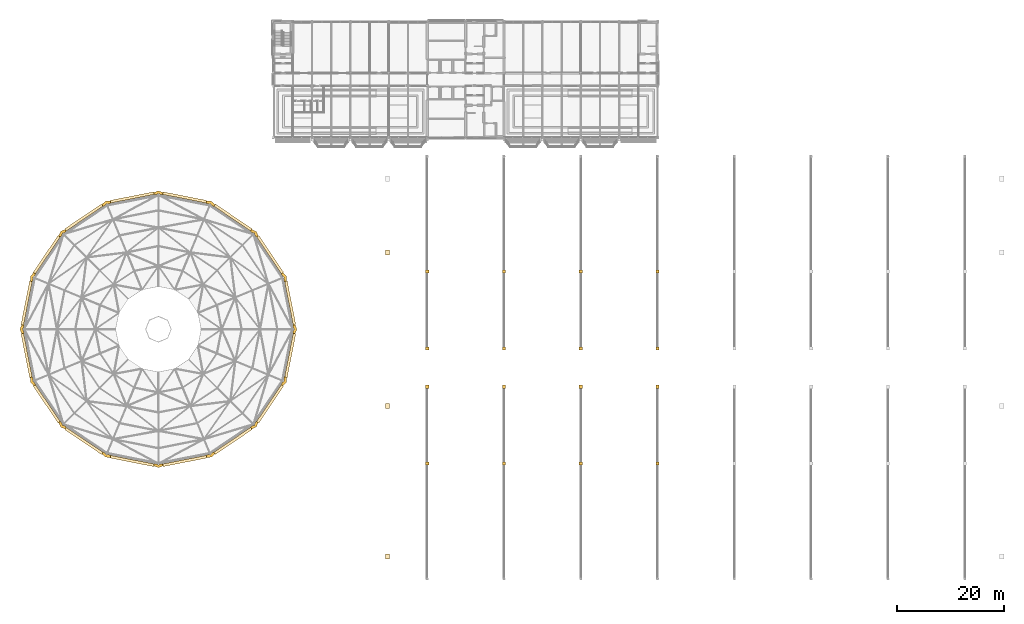
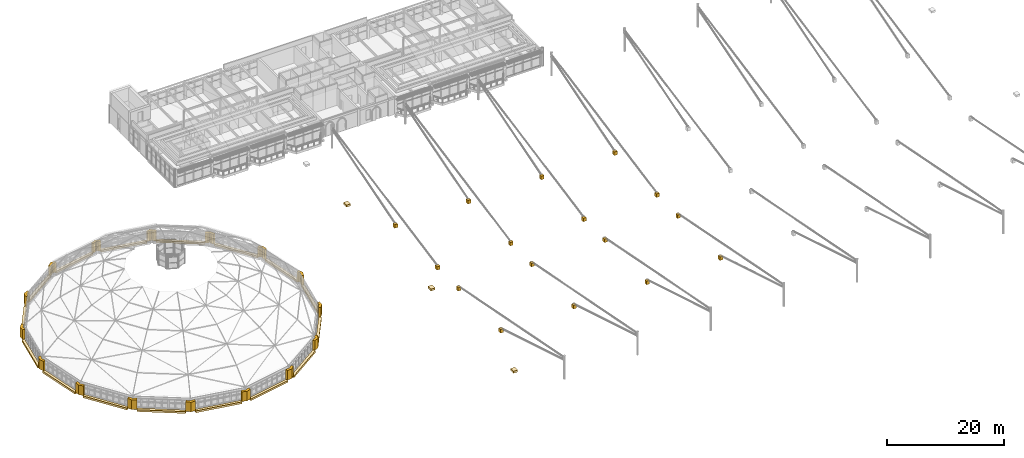
# One storey, part 60 of 68: 51 coverings.
"""IFC4 building model written with IfcOpenShell, lengths in metres."""

from ifc_helpers import new_model, si_unit, direction, frame, origin, origin_2d, place, context, subcontext, project, spatial, polyline, rectangle, outline, extrude, material, layer, layer_set, type_object, element, save


model = new_model("IFC4")

# Units and contexts
model_context = context("Model", 3, precision=1e-05, world=origin(), true_north=direction((0.0, 1.0)))
body_context = subcontext(model_context, "Body", "Model", "MODEL_VIEW")
ifc_project = project(units=[si_unit("LENGTHUNIT", "METRE"), si_unit("AREAUNIT", "SQUARE_METRE"), si_unit("VOLUMEUNIT", "CUBIC_METRE"), si_unit("PLANEANGLEUNIT", "RADIAN"), si_unit("MASSUNIT", "GRAM", prefix="KILO")], contexts=[model_context])

# Site, building, storey
site_placement = place(None, origin())
site = spatial("IfcSite", under=ifc_project, at=site_placement, CompositionType="ELEMENT")
building_placement = place(site_placement, origin())
building = spatial("IfcBuilding", under=site, at=building_placement, Name="Kupolbacken Congress Centre", CompositionType="ELEMENT")
storey_placement = place(building_placement, frame((0.0, 0.0, 25.199951171875)))
storey = spatial("IfcBuildingStorey", under=building, at=storey_placement, Name="L07", CompositionType="ELEMENT", Elevation=25.199951171875)

# Coverings
ifc_material_1 = material(Name="Limestone cladding", Category="masonry")
ifc_layer_1 = layer(ifc_material_1, 0.5)
ifc_layer_set_1 = layer_set([ifc_layer_1], Name="Limestone cladding")
covering_type_1 = type_object("IfcCoveringType", Name="CV10 limestone cornice 500", PredefinedType="CLADDING", material=ifc_layer_set_1)
for number, where, z_axis, x_axis, name in (
    (1, (22.260498046875, 72.412109375, 0.0), (0.0, 0.0, 1.0), (0.559385512775, -0.82890762338, 0.0), "F/drum/cornice/01"),
    (2, (29.212158203125, 65.46044921875, 0.0), (0.0, 0.0, 1.0), (0.82890762338, -0.559385512775, 0.0), "F/drum/cornice/02"),
):
    element("IfcCovering", number, at=place(storey_placement, frame(where, z_axis=z_axis, x_axis=x_axis)), inside=storey, type_object=covering_type_1, Name=name, PredefinedType="CLADDING", context=body_context, shape_type="SweptSolid", body=[
        extrude(rectangle(XDim=8.332275390625, YDim=0.5, at=origin_2d()), origin(), (0.0, 0.0, 1.0), 0.39990234375),
    ])
for number, where, z_axis, x_axis, name in (
    (3, (38.2841796875, 61.68896484375, 0.0), (0.0, 0.0, 1.0), (0.981162875481, -0.193182327812, 0.0), "F/drum/cornice/03"),
    (4, (48.11572265625, 61.68896484375, 0.0), (0.0, 0.0, 1.0), (0.981162875481, 0.193182327812, 0.0), "F/drum/cornice/04"),
):
    element("IfcCovering", number, at=place(storey_placement, frame(where, z_axis=z_axis, x_axis=x_axis)), inside=storey, type_object=covering_type_1, Name=name, PredefinedType="CLADDING", context=body_context, shape_type="SweptSolid", body=[
        extrude(rectangle(XDim=8.335205078125, YDim=0.5, at=origin_2d()), origin(), (0.0, 0.0, 1.0), 0.39990234375),
    ])
for number, where, z_axis, x_axis, name in (
    (5, (57.18798828125, 65.46044921875, 0.0), (0.0, 0.0, 1.0), (0.82890762338, 0.559385512775, 0.0), "F/drum/cornice/05"),
    (6, (64.1396484375, 72.412109375, 0.0), (0.0, 0.0, 1.0), (0.559385512775, 0.82890762338, 0.0), "F/drum/cornice/06"),
):
    element("IfcCovering", number, at=place(storey_placement, frame(where, z_axis=z_axis, x_axis=x_axis)), inside=storey, type_object=covering_type_1, Name=name, PredefinedType="CLADDING", context=body_context, shape_type="SweptSolid", body=[
        extrude(rectangle(XDim=8.332275390625, YDim=0.5, at=origin_2d()), origin(), (0.0, 0.0, 1.0), 0.39990234375),
    ])
for number, where, z_axis, x_axis, name in (
    (7, (67.9111328125, 81.484130859375, 0.0), (0.0, 0.0, 1.0), (0.193182327812, 0.981162875481, 0.0), "F/drum/cornice/07"),
    (8, (67.9111328125, 91.315673828125, 0.0), (0.0, 0.0, 1.0), (-0.193182327812, 0.981162875481, 0.0), "F/drum/cornice/08"),
):
    element("IfcCovering", number, at=place(storey_placement, frame(where, z_axis=z_axis, x_axis=x_axis)), inside=storey, type_object=covering_type_1, Name=name, PredefinedType="CLADDING", context=body_context, shape_type="SweptSolid", body=[
        extrude(rectangle(XDim=8.335205078125, YDim=0.5, at=origin_2d()), origin(), (0.0, 0.0, 1.0), 0.39990234375),
    ])
for number, where, z_axis, x_axis, name in (
    (9, (64.1396484375, 100.387939453125, 0.0), (0.0, 0.0, 1.0), (-0.559385512775, 0.82890762338, 0.0), "F/drum/cornice/09"),
    (10, (57.18798828125, 107.339599609375, 0.0), (0.0, 0.0, 1.0), (-0.82890762338, 0.559385512775, 0.0), "F/drum/cornice/10"),
):
    element("IfcCovering", number, at=place(storey_placement, frame(where, z_axis=z_axis, x_axis=x_axis)), inside=storey, type_object=covering_type_1, Name=name, PredefinedType="CLADDING", context=body_context, shape_type="SweptSolid", body=[
        extrude(rectangle(XDim=8.332275390625, YDim=0.5, at=origin_2d()), origin(), (0.0, 0.0, 1.0), 0.39990234375),
    ])
for number, where, z_axis, x_axis, name in (
    (11, (48.11572265625, 111.111083984375, 0.0), (0.0, 0.0, 1.0), (-0.981162875481, 0.193182327812, 0.0), "F/drum/cornice/11"),
    (12, (38.2841796875, 111.111083984375, 0.0), (0.0, 0.0, 1.0), (-0.981162875481, -0.193182327812, 0.0), "F/drum/cornice/12"),
):
    element("IfcCovering", number, at=place(storey_placement, frame(where, z_axis=z_axis, x_axis=x_axis)), inside=storey, type_object=covering_type_1, Name=name, PredefinedType="CLADDING", context=body_context, shape_type="SweptSolid", body=[
        extrude(rectangle(XDim=8.335205078125, YDim=0.5, at=origin_2d()), origin(), (0.0, 0.0, 1.0), 0.39990234375),
    ])
for number, where, z_axis, x_axis, name in (
    (13, (29.212158203125, 107.339599609375, 0.0), (0.0, 0.0, 1.0), (-0.82890762338, -0.559385512775, 0.0), "F/drum/cornice/13"),
    (14, (22.260498046875, 100.387939453125, 0.0), (0.0, 0.0, 1.0), (-0.559385512775, -0.82890762338, 0.0), "F/drum/cornice/14"),
):
    element("IfcCovering", number, at=place(storey_placement, frame(where, z_axis=z_axis, x_axis=x_axis)), inside=storey, type_object=covering_type_1, Name=name, PredefinedType="CLADDING", context=body_context, shape_type="SweptSolid", body=[
        extrude(rectangle(XDim=8.332275390625, YDim=0.5, at=origin_2d()), origin(), (0.0, 0.0, 1.0), 0.39990234375),
    ])
for number, where, z_axis, x_axis, name in (
    (15, (18.48876953125, 91.315673828125, 0.0), (0.0, 0.0, 1.0), (-0.193182327812, -0.981162875481, 0.0), "F/drum/cornice/15"),
    (16, (18.48876953125, 81.484130859375, 0.0), (0.0, 0.0, 1.0), (0.193182327812, -0.981162875481, 0.0), "F/drum/cornice/16"),
):
    element("IfcCovering", number, at=place(storey_placement, frame(where, z_axis=z_axis, x_axis=x_axis)), inside=storey, type_object=covering_type_1, Name=name, PredefinedType="CLADDING", context=body_context, shape_type="SweptSolid", body=[
        extrude(rectangle(XDim=8.335205078125, YDim=0.5, at=origin_2d()), origin(), (0.0, 0.0, 1.0), 0.39990234375),
    ])
ifc_material_2 = material(Name="Limestone cladding", Category="masonry")
ifc_layer_2 = layer(ifc_material_2, 0.35009765625)
ifc_layer_set_2 = layer_set([ifc_layer_2], Name="Limestone cladding")
covering_type_2 = type_object("IfcCoveringType", Name="CV3 limestone pilaster strip 350", PredefinedType="CLADDING", material=ifc_layer_set_2)
for number, where, z_axis, x_axis, name in (
    (17, (86.14990234375, 43.800048828125, 1.650146484375), (0.0, 0.0, 1.0), (0.0, 1.0, 0.0), "F/HR/pin/W/00/cap"),
    (18, (86.14990234375, 72.0, 1.650146484375), (0.0, 0.0, 1.0), (0.0, 1.0, 0.0), "F/HR/pin/W/01/cap"),
    (19, (86.14990234375, 100.800048828125, 1.650146484375), (0.0, 0.0, 1.0), (0.0, 1.0, 0.0), "F/HR/pin/W/02/cap"),
):
    element("IfcCovering", number, at=place(storey_placement, frame(where, z_axis=z_axis, x_axis=x_axis)), inside=storey, type_object=covering_type_2, Name=name, PredefinedType="CLADDING", context=body_context, shape_type="SweptSolid", body=[
        extrude(rectangle(XDim=1.0, YDim=0.800048828125, at=origin_2d()), origin(), (0.0, 0.0, 1.0), 0.39990234375),
    ])
ifc_material_3 = material(Name="Limestone cladding", Category="masonry")
ifc_layer_3 = layer(ifc_material_3, 0.60009765625)
ifc_layer_set_3 = layer_set([ifc_layer_3], Name="Limestone cladding")
covering_type_3 = type_object("IfcCoveringType", Name="CV5 limestone arcade pier 600", PredefinedType="CLADDING", material=ifc_layer_set_3)
covering_1_placement = place(storey_placement, frame((0.0, 0.0, -3.329833984375)))
element("IfcCovering", 20, at=covering_1_placement, inside=storey, type_object=covering_type_3, Name="Stay anchor block", PredefinedType="CLADDING", context=body_context, shape_type="SweptSolid", body=[
    extrude(outline(polyline([(93.89990234375, 60.89990234375), (93.89990234375, 61.5), (93.300048828125, 61.5), (93.300048828125, 60.89990234375), (93.89990234375, 60.89990234375)])), origin(), (0.0, 0.0, 1.0), 0.719970703125),
])
covering_2_placement = place(storey_placement, frame((0.0, 0.0, -3.329833984375)))
element("IfcCovering", 21, at=covering_2_placement, inside=storey, type_object=covering_type_3, Name="Stay anchor block", PredefinedType="CLADDING", context=body_context, shape_type="SweptSolid", body=[
    extrude(outline(polyline([(93.89990234375, 75.300048828125), (93.89990234375, 75.89990234375), (93.300048828125, 75.89990234375), (93.300048828125, 75.300048828125), (93.89990234375, 75.300048828125)])), origin(), (0.0, 0.0, 1.0), 0.719970703125),
])
covering_3_placement = place(storey_placement, frame((0.0, 0.0, -3.329833984375)))
element("IfcCovering", 22, at=covering_3_placement, inside=storey, type_object=covering_type_3, Name="Stay anchor block", PredefinedType="CLADDING", context=body_context, shape_type="SweptSolid", body=[
    extrude(outline(polyline([(93.89990234375, 82.5), (93.89990234375, 83.10009765625), (93.300048828125, 83.10009765625), (93.300048828125, 82.5), (93.89990234375, 82.5)])), origin(), (0.0, 0.0, 1.0), 0.719970703125),
])
covering_4_placement = place(storey_placement, frame((0.0, 0.0, -3.329833984375)))
element("IfcCovering", 23, at=covering_4_placement, inside=storey, type_object=covering_type_3, Name="Stay anchor block", PredefinedType="CLADDING", context=body_context, shape_type="SweptSolid", body=[
    extrude(outline(polyline([(93.89990234375, 96.89990234375), (93.89990234375, 97.5), (93.300048828125, 97.5), (93.300048828125, 96.89990234375), (93.89990234375, 96.89990234375)])), origin(), (0.0, 0.0, 1.0), 0.719970703125),
])
covering_5_placement = place(storey_placement, frame((0.0, 0.0, -3.329833984375)))
element("IfcCovering", 24, at=covering_5_placement, inside=storey, type_object=covering_type_3, Name="Stay anchor block", PredefinedType="CLADDING", context=body_context, shape_type="SweptSolid", body=[
    extrude(outline(polyline([(108.300048828125, 60.89990234375), (108.300048828125, 61.5), (107.699951171875, 61.5), (107.699951171875, 60.89990234375), (108.300048828125, 60.89990234375)])), origin(), (0.0, 0.0, 1.0), 0.719970703125),
])
covering_6_placement = place(storey_placement, frame((0.0, 0.0, -3.329833984375)))
element("IfcCovering", 25, at=covering_6_placement, inside=storey, type_object=covering_type_3, Name="Stay anchor block", PredefinedType="CLADDING", context=body_context, shape_type="SweptSolid", body=[
    extrude(outline(polyline([(108.300048828125, 75.300048828125), (108.300048828125, 75.89990234375), (107.699951171875, 75.89990234375), (107.699951171875, 75.300048828125), (108.300048828125, 75.300048828125)])), origin(), (0.0, 0.0, 1.0), 0.719970703125),
])
covering_7_placement = place(storey_placement, frame((0.0, 0.0, -3.329833984375)))
element("IfcCovering", 26, at=covering_7_placement, inside=storey, type_object=covering_type_3, Name="Stay anchor block", PredefinedType="CLADDING", context=body_context, shape_type="SweptSolid", body=[
    extrude(outline(polyline([(108.300048828125, 82.5), (108.300048828125, 83.10009765625), (107.699951171875, 83.10009765625), (107.699951171875, 82.5), (108.300048828125, 82.5)])), origin(), (0.0, 0.0, 1.0), 0.719970703125),
])
covering_8_placement = place(storey_placement, frame((0.0, 0.0, -3.329833984375)))
element("IfcCovering", 27, at=covering_8_placement, inside=storey, type_object=covering_type_3, Name="Stay anchor block", PredefinedType="CLADDING", context=body_context, shape_type="SweptSolid", body=[
    extrude(outline(polyline([(108.300048828125, 96.89990234375), (108.300048828125, 97.5), (107.699951171875, 97.5), (107.699951171875, 96.89990234375), (108.300048828125, 96.89990234375)])), origin(), (0.0, 0.0, 1.0), 0.719970703125),
])
covering_9_placement = place(storey_placement, frame((0.0, 0.0, -3.329833984375)))
element("IfcCovering", 28, at=covering_9_placement, inside=storey, type_object=covering_type_3, Name="Stay anchor block", PredefinedType="CLADDING", context=body_context, shape_type="SweptSolid", body=[
    extrude(outline(polyline([(122.699951171875, 60.89990234375), (122.699951171875, 61.5), (122.10009765625, 61.5), (122.10009765625, 60.89990234375), (122.699951171875, 60.89990234375)])), origin(), (0.0, 0.0, 1.0), 0.719970703125),
])
covering_10_placement = place(storey_placement, frame((0.0, 0.0, -3.329833984375)))
element("IfcCovering", 29, at=covering_10_placement, inside=storey, type_object=covering_type_3, Name="Stay anchor block", PredefinedType="CLADDING", context=body_context, shape_type="SweptSolid", body=[
    extrude(outline(polyline([(122.699951171875, 75.300048828125), (122.699951171875, 75.89990234375), (122.10009765625, 75.89990234375), (122.10009765625, 75.300048828125), (122.699951171875, 75.300048828125)])), origin(), (0.0, 0.0, 1.0), 0.719970703125),
])
covering_11_placement = place(storey_placement, frame((0.0, 0.0, -3.329833984375)))
element("IfcCovering", 30, at=covering_11_placement, inside=storey, type_object=covering_type_3, Name="Stay anchor block", PredefinedType="CLADDING", context=body_context, shape_type="SweptSolid", body=[
    extrude(outline(polyline([(122.699951171875, 82.5), (122.699951171875, 83.10009765625), (122.10009765625, 83.10009765625), (122.10009765625, 82.5), (122.699951171875, 82.5)])), origin(), (0.0, 0.0, 1.0), 0.719970703125),
])
covering_12_placement = place(storey_placement, frame((0.0, 0.0, -3.329833984375)))
element("IfcCovering", 31, at=covering_12_placement, inside=storey, type_object=covering_type_3, Name="Stay anchor block", PredefinedType="CLADDING", context=body_context, shape_type="SweptSolid", body=[
    extrude(outline(polyline([(122.699951171875, 96.89990234375), (122.699951171875, 97.5), (122.10009765625, 97.5), (122.10009765625, 96.89990234375), (122.699951171875, 96.89990234375)])), origin(), (0.0, 0.0, 1.0), 0.719970703125),
])
covering_13_placement = place(storey_placement, frame((0.0, 0.0, -3.329833984375)))
element("IfcCovering", 32, at=covering_13_placement, inside=storey, type_object=covering_type_3, Name="Stay anchor block", PredefinedType="CLADDING", context=body_context, shape_type="SweptSolid", body=[
    extrude(outline(polyline([(137.10009765625, 60.89990234375), (137.10009765625, 61.5), (136.5, 61.5), (136.5, 60.89990234375), (137.10009765625, 60.89990234375)])), origin(), (0.0, 0.0, 1.0), 0.719970703125),
])
covering_14_placement = place(storey_placement, frame((0.0, 0.0, -3.329833984375)))
element("IfcCovering", 33, at=covering_14_placement, inside=storey, type_object=covering_type_3, Name="Stay anchor block", PredefinedType="CLADDING", context=body_context, shape_type="SweptSolid", body=[
    extrude(outline(polyline([(137.10009765625, 75.300048828125), (137.10009765625, 75.89990234375), (136.5, 75.89990234375), (136.5, 75.300048828125), (137.10009765625, 75.300048828125)])), origin(), (0.0, 0.0, 1.0), 0.719970703125),
])
covering_15_placement = place(storey_placement, frame((0.0, 0.0, -3.329833984375)))
element("IfcCovering", 34, at=covering_15_placement, inside=storey, type_object=covering_type_3, Name="Stay anchor block", PredefinedType="CLADDING", context=body_context, shape_type="SweptSolid", body=[
    extrude(outline(polyline([(137.10009765625, 82.5), (137.10009765625, 83.10009765625), (136.5, 83.10009765625), (136.5, 82.5), (137.10009765625, 82.5)])), origin(), (0.0, 0.0, 1.0), 0.719970703125),
])
covering_16_placement = place(storey_placement, frame((0.0, 0.0, -3.329833984375)))
element("IfcCovering", 35, at=covering_16_placement, inside=storey, type_object=covering_type_3, Name="Stay anchor block", PredefinedType="CLADDING", context=body_context, shape_type="SweptSolid", body=[
    extrude(outline(polyline([(137.10009765625, 96.89990234375), (137.10009765625, 97.5), (136.5, 97.5), (136.5, 96.89990234375), (137.10009765625, 96.89990234375)])), origin(), (0.0, 0.0, 1.0), 0.719970703125),
])
ifc_material_4 = material(Name="Limestone cladding", Category="masonry")
ifc_layer_4 = layer(ifc_material_4, 0.5)
ifc_layer_set_4 = layer_set([ifc_layer_4], Name="Limestone cladding")
covering_type_4 = type_object("IfcCoveringType", Name="CV8 limestone drum pier 500", PredefinedType="CLADDING", material=ifc_layer_set_4)
covering_17_placement = place(storey_placement, frame((0.0, 0.0, 0.400146484375)))
element("IfcCovering", 36, at=covering_17_placement, inside=storey, type_object=covering_type_4, Name="F/drum/pier-up/01/0", PredefinedType="CLADDING", context=body_context, shape_type="SweptSolid", body=[
    extrude(outline(polyline([(24.483154296875, 68.885986328125), (24.867919921875, 68.068115234375), (25.68603515625, 67.68310546875), (25.937744140625, 68.05615234375), (25.5234375, 68.3359375), (25.200439453125, 68.400390625), (25.1357421875, 68.723388671875), (24.856201171875, 69.1376953125), (24.483154296875, 68.885986328125)])), origin(), (0.0, 0.0, 1.0), 1.989990234375),
])
covering_18_placement = place(storey_placement, frame((0.0, 0.0, 0.400146484375)))
element("IfcCovering", 37, at=covering_18_placement, inside=storey, type_object=covering_type_4, Name="F/drum/pier-up/02/0", PredefinedType="CLADDING", context=body_context, shape_type="SweptSolid", body=[
    extrude(outline(polyline([(32.5927734375, 63.022216796875), (33.262939453125, 62.40673828125), (34.169921875, 62.366455078125), (34.2568359375, 62.807861328125), (33.766357421875, 62.904541015625), (33.44287109375, 62.8408203125), (33.2587890625, 63.115478515625), (32.844482421875, 63.395263671875), (32.5927734375, 63.022216796875)])), origin(), (0.0, 0.0, 1.0), 1.989990234375),
])
covering_19_placement = place(storey_placement, frame((0.0, 0.0, 0.400146484375)))
element("IfcCovering", 38, at=covering_19_placement, inside=storey, type_object=covering_type_4, Name="F/drum/pier-up/03/0", PredefinedType="CLADDING", context=body_context, shape_type="SweptSolid", body=[
    extrude(outline(polyline([(42.34814453125, 60.756103515625), (43.199951171875, 60.4482421875), (44.0517578125, 60.756103515625), (43.96484375, 61.19775390625), (43.474365234375, 61.10107421875), (43.199951171875, 60.918212890625), (42.92578125, 61.10107421875), (42.43505859375, 61.19775390625), (42.34814453125, 60.756103515625)])), origin(), (0.0, 0.0, 1.0), 1.989990234375),
])
covering_20_placement = place(storey_placement, frame((0.0, 0.0, 0.400146484375)))
element("IfcCovering", 39, at=covering_20_placement, inside=storey, type_object=covering_type_4, Name="F/drum/pier-up/04/0", PredefinedType="CLADDING", context=body_context, shape_type="SweptSolid", body=[
    extrude(outline(polyline([(52.22998046875, 62.366455078125), (53.136962890625, 62.40673828125), (53.807373046875, 63.022216796875), (53.5556640625, 63.395263671875), (53.14111328125, 63.115478515625), (52.957275390625, 62.8408203125), (52.6337890625, 62.904541015625), (52.14306640625, 62.807861328125), (52.22998046875, 62.366455078125)])), origin(), (0.0, 0.0, 1.0), 1.989990234375),
])
covering_21_placement = place(storey_placement, frame((0.0, 0.0, 0.400146484375)))
element("IfcCovering", 40, at=covering_21_placement, inside=storey, type_object=covering_type_4, Name="F/drum/pier-up/05/0", PredefinedType="CLADDING", context=body_context, shape_type="SweptSolid", body=[
    extrude(outline(polyline([(60.7138671875, 67.68310546875), (61.531982421875, 68.068115234375), (61.9169921875, 68.885986328125), (61.5439453125, 69.1376953125), (61.26416015625, 68.723388671875), (61.19970703125, 68.400390625), (60.876708984375, 68.3359375), (60.462158203125, 68.05615234375), (60.7138671875, 67.68310546875)])), origin(), (0.0, 0.0, 1.0), 1.989990234375),
])
covering_22_placement = place(storey_placement, frame((0.0, 0.0, 0.400146484375)))
element("IfcCovering", 41, at=covering_22_placement, inside=storey, type_object=covering_type_4, Name="F/drum/pier-up/06/0", PredefinedType="CLADDING", context=body_context, shape_type="SweptSolid", body=[
    extrude(outline(polyline([(66.577880859375, 75.792724609375), (67.193359375, 76.462890625), (67.233642578125, 77.369873046875), (66.7919921875, 77.456787109375), (66.695556640625, 76.96630859375), (66.759033203125, 76.642822265625), (66.484375, 76.458984375), (66.204833984375, 76.04443359375), (66.577880859375, 75.792724609375)])), origin(), (0.0, 0.0, 1.0), 1.989990234375),
])
covering_23_placement = place(storey_placement, frame((0.0, 0.0, 0.400146484375)))
element("IfcCovering", 42, at=covering_23_placement, inside=storey, type_object=covering_type_4, Name="F/drum/pier-up/07/0", PredefinedType="CLADDING", context=body_context, shape_type="SweptSolid", body=[
    extrude(outline(polyline([(68.84375, 85.54833984375), (69.151611328125, 86.39990234375), (68.84375, 87.251708984375), (68.40234375, 87.164794921875), (68.498779296875, 86.67431640625), (68.681640625, 86.39990234375), (68.498779296875, 86.125732421875), (68.40234375, 85.63525390625), (68.84375, 85.54833984375)])), origin(), (0.0, 0.0, 1.0), 1.989990234375),
])
covering_24_placement = place(storey_placement, frame((0.0, 0.0, 0.400146484375)))
element("IfcCovering", 43, at=covering_24_placement, inside=storey, type_object=covering_type_4, Name="F/drum/pier-up/08/0", PredefinedType="CLADDING", context=body_context, shape_type="SweptSolid", body=[
    extrude(outline(polyline([(67.233642578125, 95.429931640625), (67.193359375, 96.337158203125), (66.577880859375, 97.00732421875), (66.204833984375, 96.755615234375), (66.484375, 96.341064453125), (66.759033203125, 96.1572265625), (66.695556640625, 95.833740234375), (66.7919921875, 95.343017578125), (67.233642578125, 95.429931640625)])), origin(), (0.0, 0.0, 1.0), 1.989990234375),
])
covering_25_placement = place(storey_placement, frame((0.0, 0.0, 0.400146484375)))
element("IfcCovering", 44, at=covering_25_placement, inside=storey, type_object=covering_type_4, Name="F/drum/pier-up/09/0", PredefinedType="CLADDING", context=body_context, shape_type="SweptSolid", body=[
    extrude(outline(polyline([(61.9169921875, 103.9140625), (61.531982421875, 104.73193359375), (60.7138671875, 105.116943359375), (60.462158203125, 104.743896484375), (60.876708984375, 104.464111328125), (61.19970703125, 104.399658203125), (61.26416015625, 104.07666015625), (61.5439453125, 103.662109375), (61.9169921875, 103.9140625)])), origin(), (0.0, 0.0, 1.0), 1.989990234375),
])
covering_26_placement = place(storey_placement, frame((0.0, 0.0, 0.400146484375)))
element("IfcCovering", 45, at=covering_26_placement, inside=storey, type_object=covering_type_4, Name="F/drum/pier-up/10/0", PredefinedType="CLADDING", context=body_context, shape_type="SweptSolid", body=[
    extrude(outline(polyline([(53.807373046875, 109.77783203125), (53.136962890625, 110.393310546875), (52.22998046875, 110.43359375), (52.14306640625, 109.991943359375), (52.6337890625, 109.8955078125), (52.957275390625, 109.959228515625), (53.14111328125, 109.6845703125), (53.5556640625, 109.40478515625), (53.807373046875, 109.77783203125)])), origin(), (0.0, 0.0, 1.0), 1.989990234375),
])
covering_27_placement = place(storey_placement, frame((0.0, 0.0, 0.400146484375)))
element("IfcCovering", 46, at=covering_27_placement, inside=storey, type_object=covering_type_4, Name="F/drum/pier-up/11/0", PredefinedType="CLADDING", context=body_context, shape_type="SweptSolid", body=[
    extrude(outline(polyline([(44.0517578125, 112.043701171875), (43.199951171875, 112.351806640625), (42.34814453125, 112.043701171875), (42.43505859375, 111.602294921875), (42.92578125, 111.698974609375), (43.199951171875, 111.881591796875), (43.474365234375, 111.698974609375), (43.96484375, 111.602294921875), (44.0517578125, 112.043701171875)])), origin(), (0.0, 0.0, 1.0), 1.989990234375),
])
covering_28_placement = place(storey_placement, frame((0.0, 0.0, 0.400146484375)))
element("IfcCovering", 47, at=covering_28_placement, inside=storey, type_object=covering_type_4, Name="F/drum/pier-up/12/0", PredefinedType="CLADDING", context=body_context, shape_type="SweptSolid", body=[
    extrude(outline(polyline([(34.169921875, 110.43359375), (33.262939453125, 110.393310546875), (32.5927734375, 109.77783203125), (32.844482421875, 109.40478515625), (33.2587890625, 109.6845703125), (33.44287109375, 109.959228515625), (33.766357421875, 109.8955078125), (34.2568359375, 109.991943359375), (34.169921875, 110.43359375)])), origin(), (0.0, 0.0, 1.0), 1.989990234375),
])
covering_29_placement = place(storey_placement, frame((0.0, 0.0, 0.400146484375)))
element("IfcCovering", 48, at=covering_29_placement, inside=storey, type_object=covering_type_4, Name="F/drum/pier-up/13/0", PredefinedType="CLADDING", context=body_context, shape_type="SweptSolid", body=[
    extrude(outline(polyline([(25.68603515625, 105.116943359375), (24.867919921875, 104.73193359375), (24.483154296875, 103.9140625), (24.856201171875, 103.662109375), (25.1357421875, 104.07666015625), (25.200439453125, 104.399658203125), (25.5234375, 104.464111328125), (25.937744140625, 104.743896484375), (25.68603515625, 105.116943359375)])), origin(), (0.0, 0.0, 1.0), 1.989990234375),
])
covering_30_placement = place(storey_placement, frame((0.0, 0.0, 0.400146484375)))
element("IfcCovering", 49, at=covering_30_placement, inside=storey, type_object=covering_type_4, Name="F/drum/pier-up/14/0", PredefinedType="CLADDING", context=body_context, shape_type="SweptSolid", body=[
    extrude(outline(polyline([(19.822265625, 97.00732421875), (19.20654296875, 96.337158203125), (19.16650390625, 95.429931640625), (19.60791015625, 95.343017578125), (19.70458984375, 95.833740234375), (19.640869140625, 96.1572265625), (19.91552734375, 96.341064453125), (20.1953125, 96.755615234375), (19.822265625, 97.00732421875)])), origin(), (0.0, 0.0, 1.0), 1.989990234375),
])
covering_31_placement = place(storey_placement, frame((0.0, 0.0, 0.400146484375)))
element("IfcCovering", 50, at=covering_31_placement, inside=storey, type_object=covering_type_4, Name="F/drum/pier-up/15/0", PredefinedType="CLADDING", context=body_context, shape_type="SweptSolid", body=[
    extrude(outline(polyline([(17.55615234375, 87.251708984375), (17.248291015625, 86.39990234375), (17.55615234375, 85.54833984375), (17.997802734375, 85.63525390625), (17.901123046875, 86.125732421875), (17.71826171875, 86.39990234375), (17.901123046875, 86.67431640625), (17.997802734375, 87.164794921875), (17.55615234375, 87.251708984375)])), origin(), (0.0, 0.0, 1.0), 1.989990234375),
])
covering_32_placement = place(storey_placement, frame((0.0, 0.0, 0.400146484375)))
element("IfcCovering", 51, at=covering_32_placement, inside=storey, type_object=covering_type_4, Name="F/drum/pier-up/16/0", PredefinedType="CLADDING", context=body_context, shape_type="SweptSolid", body=[
    extrude(outline(polyline([(19.16650390625, 77.369873046875), (19.20654296875, 76.462890625), (19.822265625, 75.792724609375), (20.1953125, 76.04443359375), (19.91552734375, 76.458984375), (19.640869140625, 76.642822265625), (19.70458984375, 76.96630859375), (19.60791015625, 77.456787109375), (19.16650390625, 77.369873046875)])), origin(), (0.0, 0.0, 1.0), 1.989990234375),
])

save(model, "model.ifc")
